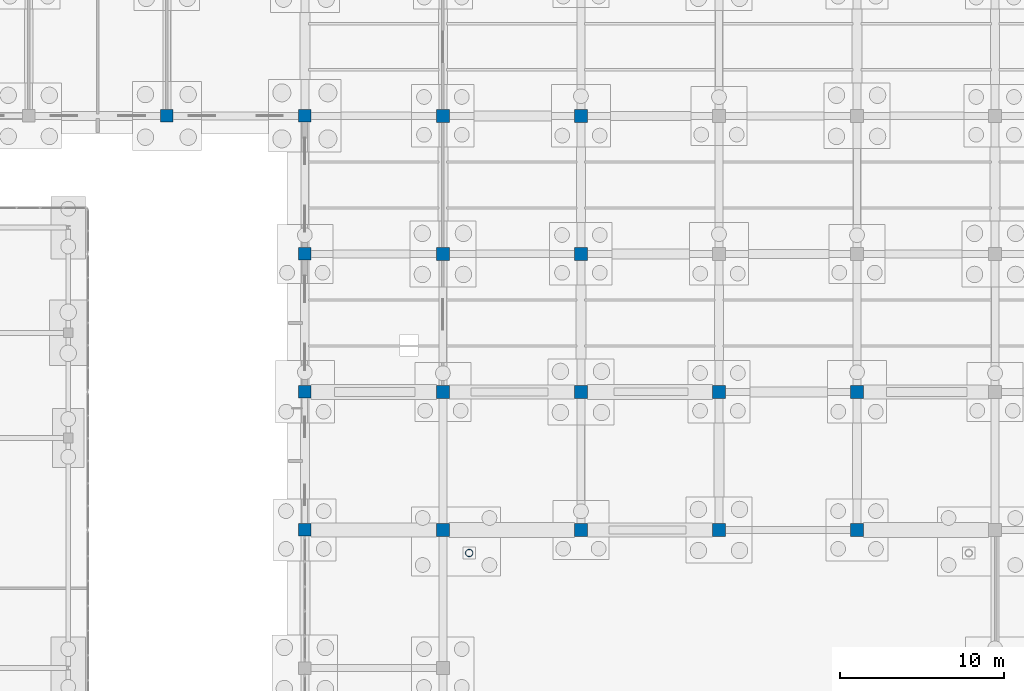
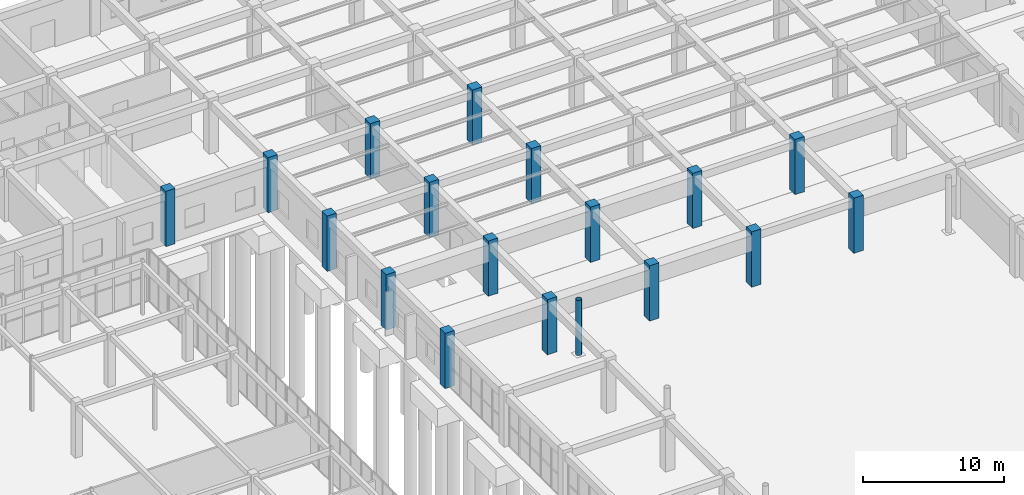
# One storey, part 44 of 192: 18 columns.
"""IFC4 building model written with IfcOpenShell, lengths in metres."""

from ifc_helpers import new_model, si_unit, direction, frame, origin, origin_2d, place, context, subcontext, project, spatial, rectangle, hollow_circle, extrude, material, material_profile, profile_set, type_object, element, save


model = new_model("IFC4")

# Units and contexts
model_context = context("Model", 3, precision=1e-05, world=origin(), true_north=direction((0.0, 1.0)))
body_context = subcontext(model_context, "Body", "Model", "MODEL_VIEW")
ifc_project = project(units=[si_unit("LENGTHUNIT", "METRE"), si_unit("AREAUNIT", "SQUARE_METRE"), si_unit("VOLUMEUNIT", "CUBIC_METRE"), si_unit("PLANEANGLEUNIT", "RADIAN"), si_unit("MASSUNIT", "GRAM", prefix="KILO")], contexts=[model_context])

# Site, building, storey
site_placement = place(None, origin())
site = spatial("IfcSite", under=ifc_project, at=site_placement, CompositionType="ELEMENT")
building_placement = place(site_placement, origin())
building = spatial("IfcBuilding", under=site, at=building_placement, Name="Trelvath General Hospital", CompositionType="ELEMENT")
storey_placement = place(building_placement, origin())
storey = spatial("IfcBuildingStorey", under=building, at=storey_placement, Name="L00", CompositionType="ELEMENT", Elevation=0.0)

# Columns
ifc_material_1 = material(Name="Concrete C40/50", Category="concrete")
ifc_material_profile_1 = material_profile(ifc_material_1, rectangle(XDim=0.760009765625, YDim=0.760009765625, at=origin_2d()), Name="RC760x760")
ifc_profile_set_1 = profile_set([ifc_material_profile_1], Name="Concrete C40/50")
column_type_1 = type_object("IfcColumnType", Name="Column RC760", PredefinedType="COLUMN", material=ifc_profile_set_1)
for number, where, z_axis, x_axis, name in (
    (1, (126.0, 92.39990234375, 0.0), (0.0, 0.0, 1.0), (1.0, 0.0, 0.0), "Column C-16L L00"),
    (2, (134.39990234375, 67.199951171875, 0.0), (0.0, 0.0, 1.0), (1.0, 0.0, 0.0), "Column C-17I L00"),
    (3, (134.39990234375, 75.60009765625, 0.0), (0.0, 0.0, 1.0), (1.0, 0.0, 0.0), "Column C-17J L00"),
    (4, (134.39990234375, 84.0, 0.0), (0.0, 0.0, 1.0), (1.0, 0.0, 0.0), "Column C-17K L00"),
    (5, (134.39990234375, 92.39990234375, 0.0), (0.0, 0.0, 1.0), (1.0, 0.0, 0.0), "Column C-17L L00"),
):
    element("IfcColumn", number, at=place(storey_placement, frame(where, z_axis=z_axis, x_axis=x_axis)), inside=storey, type_object=column_type_1, Name=name, PredefinedType="COLUMN", context=body_context, shape_type="SweptSolid", body=[
        extrude(rectangle(XDim=0.760009765625, YDim=0.760009765625, at=origin_2d()), origin(), (0.0, 0.0, 1.0), 4.800048828125),
    ])
ifc_material_2 = material(Name="Concrete C40/50", Category="concrete")
ifc_material_profile_2 = material_profile(ifc_material_2, rectangle(XDim=0.780029296875, YDim=0.780029296875, at=origin_2d()), Name="RC780x780")
ifc_profile_set_2 = profile_set([ifc_material_profile_2], Name="Concrete C40/50")
column_type_2 = type_object("IfcColumnType", Name="Column RC780", PredefinedType="COLUMN", material=ifc_profile_set_2)
for number, where, z_axis, x_axis, name in (
    (6, (142.800048828125, 67.199951171875, 0.0), (0.0, 0.0, 1.0), (1.0, 0.0, 0.0), "Column C-18I L00"),
    (7, (142.800048828125, 75.60009765625, 0.0), (0.0, 0.0, 1.0), (1.0, 0.0, 0.0), "Column C-18J L00"),
    (8, (142.800048828125, 84.0, 0.0), (0.0, 0.0, 1.0), (1.0, 0.0, 0.0), "Column C-18K L00"),
    (9, (142.800048828125, 92.39990234375, 0.0), (0.0, 0.0, 1.0), (1.0, 0.0, 0.0), "Column C-18L L00"),
    (10, (151.199951171875, 67.199951171875, 0.0), (0.0, 0.0, 1.0), (1.0, 0.0, 0.0), "Column C-19I L00"),
    (11, (151.199951171875, 75.60009765625, 0.0), (0.0, 0.0, 1.0), (1.0, 0.0, 0.0), "Column C-19J L00"),
    (12, (151.199951171875, 84.0, 0.0), (0.0, 0.0, 1.0), (1.0, 0.0, 0.0), "Column C-19K L00"),
    (13, (151.199951171875, 92.39990234375, 0.0), (0.0, 0.0, 1.0), (1.0, 0.0, 0.0), "Column C-19L L00"),
    (14, (159.60009765625, 67.199951171875, 0.0), (0.0, 0.0, 1.0), (1.0, 0.0, 0.0), "Column C-20I L00"),
    (15, (159.60009765625, 75.60009765625, 0.0), (0.0, 0.0, 1.0), (1.0, 0.0, 0.0), "Column C-20J L00"),
    (16, (168.0, 67.199951171875, 0.0), (0.0, 0.0, 1.0), (1.0, 0.0, 0.0), "Column C-21I L00"),
    (17, (168.0, 75.60009765625, 0.0), (0.0, 0.0, 1.0), (1.0, 0.0, 0.0), "Column C-21J L00"),
):
    element("IfcColumn", number, at=place(storey_placement, frame(where, z_axis=z_axis, x_axis=x_axis)), inside=storey, type_object=column_type_2, Name=name, PredefinedType="COLUMN", context=body_context, shape_type="SweptSolid", body=[
        extrude(rectangle(XDim=0.780029296875, YDim=0.780029296875, at=origin_2d()), origin(), (0.0, 0.0, 1.0), 4.800048828125),
    ])
ifc_material_3 = material(Name="Steel S355", Category="steel")
ifc_material_profile_3 = material_profile(ifc_material_3, hollow_circle(Radius=0.228515625, WallThickness=0.01611328125, at=origin_2d()), Name="CHS457.0x16.0")
ifc_profile_set_3 = profile_set([ifc_material_profile_3], Name="Steel S355")
column_type_3 = type_object("IfcColumnType", Name="TreeColumn CHS457", PredefinedType="COLUMN", material=ifc_profile_set_3)
column_placement = place(storey_placement, frame((144.39990234375, 65.800048828125, 0.0), z_axis=(0.0, 0.0, 1.0), x_axis=(1.0, 0.0, 0.0)))
element("IfcColumn", 18, at=column_placement, inside=storey, type_object=column_type_3, Name="Space Frame Tree Column TC-04 L00", PredefinedType="COLUMN", context=body_context, shape_type="SweptSolid", body=[
    extrude(hollow_circle(Radius=0.228515625, WallThickness=0.01611328125, at=origin_2d()), origin(), (0.0, 0.0, 1.0), 4.800048828125),
])

save(model, "model.ifc")
